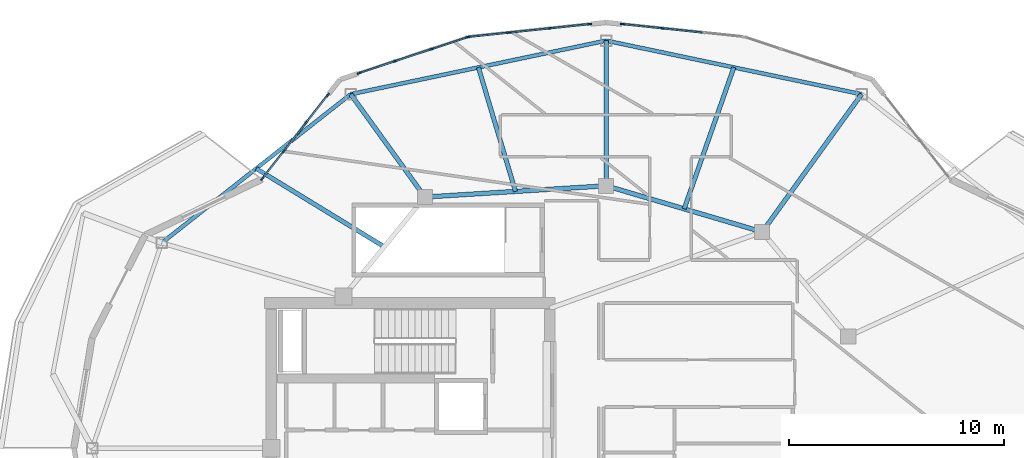
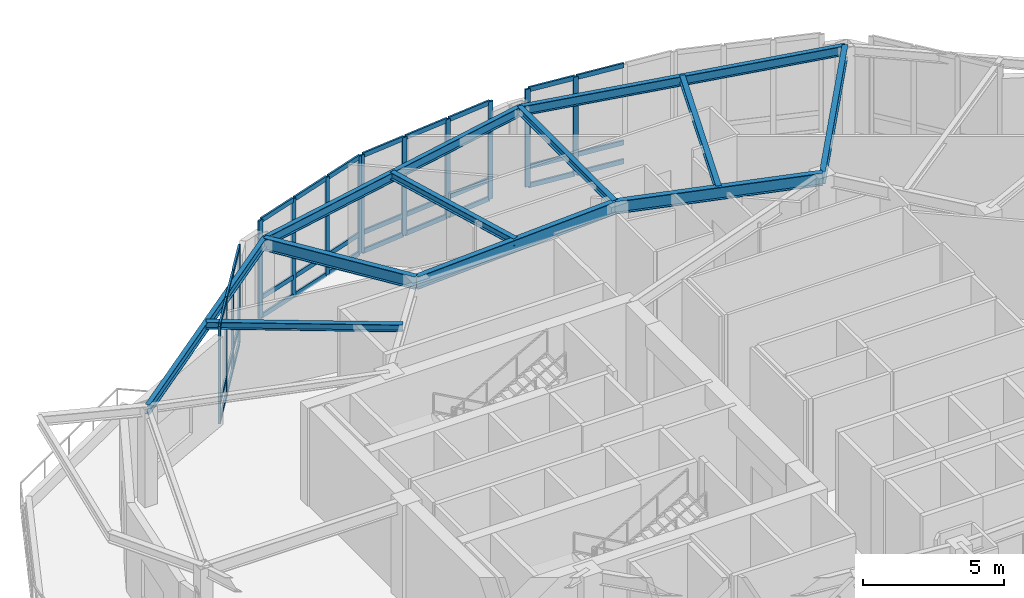
# One storey, part 5 of 15: 47 members, 11 beams, 4 elements without a shape of their own.
"""IFC4 building model written with IfcOpenShell, lengths in metres."""

from ifc_helpers import new_model, si_unit, direction, frame, origin, origin_2d, place, context, subcontext, project, spatial, rectangle, i_section, extrude, material, layer, layer_set, material_profile, profile_set, type_object, element, aggregate, save


model = new_model("IFC4")

# Units and contexts
model_context = context("Model", 3, precision=1e-05, world=origin(), true_north=direction((0.0, 1.0)))
body_context = subcontext(model_context, "Body", "Model", "MODEL_VIEW")
ifc_project = project(units=[si_unit("LENGTHUNIT", "METRE"), si_unit("AREAUNIT", "SQUARE_METRE"), si_unit("VOLUMEUNIT", "CUBIC_METRE"), si_unit("PLANEANGLEUNIT", "RADIAN"), si_unit("MASSUNIT", "GRAM", prefix="KILO")], contexts=[model_context])

# Site, building, storey
site_placement = place(None, origin())
site = spatial("IfcSite", under=ifc_project, at=site_placement, CompositionType="ELEMENT")
building_placement = place(site_placement, origin())
building = spatial("IfcBuilding", under=site, at=building_placement, Name="Kolvaren Gate Tower and Convention Centre", CompositionType="ELEMENT")
storey_placement = place(building_placement, frame((0.0, 0.0, 191.89990234375)))
storey = spatial("IfcBuildingStorey", under=building, at=storey_placement, Name="L50", CompositionType="ELEMENT", Elevation=191.89990234375)

# Curtain wall, members
ifc_material_1 = material(Name="Anodized Architectural Aluminium Alloy 6063-T6", Category="aluminium")
ifc_layer = layer(ifc_material_1, 0.199951171875)
ifc_layer_set = layer_set([ifc_layer], Name="Anodized Architectural Aluminium Alloy 6063-T6")
curtain_wall_type = type_object("IfcCurtainWallType", Name="CW-SKY-GLZ", PredefinedType="NOTDEFINED", material=ifc_layer_set)
curtain_wall_1_placement = place(storey_placement, origin())
curtain_wall_1 = element("IfcCurtainWall", 1, at=curtain_wall_1_placement, inside=storey, type_object=curtain_wall_type, Name="L50 Panoramic Structural Curtain Wall CW-05", PredefinedType="NOTDEFINED")
ifc_material_profile_1 = material_profile(ifc_material_1, rectangle(XDim=0.074951171875, YDim=0.199951171875, at=origin_2d()), Name="CW-MEM-MUL-200")
ifc_profile_set_1 = profile_set([ifc_material_profile_1], Name="Anodized Architectural Aluminium Alloy 6063-T6")
member_type_1 = type_object("IfcMemberType", Name="CW-MEM-MUL-200", PredefinedType="MULLION", material=ifc_profile_set_1)
member_1_placement = place(storey_placement, frame((30.88720703125, 46.7197265625, 0.0), z_axis=(0.0, 0.0, 1.0), x_axis=(0.104740372947, 0.994499599937, 0.0)))
member_1 = element("IfcMember", 2, at=member_1_placement, type_object=member_type_1, Name="CW-05 mullion 1", PredefinedType="MULLION", context=body_context, shape_type="SweptSolid", body=[
    extrude(rectangle(XDim=0.074951171875, YDim=0.199951171875, at=origin_2d()), origin(), (0.0, 0.0, 1.0), 4.22998046875),
])
member_2_placement = place(storey_placement, frame((32.74365234375, 46.524169921875, 0.0), z_axis=(0.0, 0.0, 1.0), x_axis=(0.104740372947, 0.994499599937, 0.0)))
member_2 = element("IfcMember", 3, at=member_2_placement, type_object=member_type_1, Name="CW-05 mullion 2", PredefinedType="MULLION", context=body_context, shape_type="SweptSolid", body=[
    extrude(rectangle(XDim=0.074951171875, YDim=0.199951171875, at=origin_2d()), origin(), (0.0, 0.0, 1.0), 4.22998046875),
])

curtain_wall_2_placement = place(storey_placement, origin())
curtain_wall_2 = element("IfcCurtainWall", 4, at=curtain_wall_2_placement, inside=storey, type_object=curtain_wall_type, Name="L50 Panoramic Structural Curtain Wall CW-06", PredefinedType="NOTDEFINED")
member_3_placement = place(storey_placement, frame((23.756591796875, 46.129150390625, 0.0), z_axis=(0.0, 0.0, 1.0), x_axis=(-0.104744020147, 0.994499215808, 0.0)))
member_3 = element("IfcMember", 5, at=member_3_placement, type_object=member_type_1, Name="CW-05 mullion 1", PredefinedType="MULLION", context=body_context, shape_type="SweptSolid", body=[
    extrude(rectangle(XDim=0.074951171875, YDim=0.199951171875, at=origin_2d()), origin(), (0.0, 0.0, 1.0), 4.22998046875),
])
member_4_placement = place(storey_placement, frame((25.61279296875, 46.32470703125, 0.0), z_axis=(0.0, 0.0, 1.0), x_axis=(-0.104744020147, 0.994499215808, 0.0)))
member_4 = element("IfcMember", 6, at=member_4_placement, type_object=member_type_1, Name="CW-05 mullion 2", PredefinedType="MULLION", context=body_context, shape_type="SweptSolid", body=[
    extrude(rectangle(XDim=0.074951171875, YDim=0.199951171875, at=origin_2d()), origin(), (0.0, 0.0, 1.0), 4.22998046875),
])
member_5_placement = place(storey_placement, frame((27.50634765625, 46.524169921875, 0.0), z_axis=(0.0, 0.0, 1.0), x_axis=(-0.104744020147, 0.994499215808, 0.0)))
member_5 = element("IfcMember", 7, at=member_5_placement, type_object=member_type_1, Name="CW-05 mullion 3", PredefinedType="MULLION", context=body_context, shape_type="SweptSolid", body=[
    extrude(rectangle(XDim=0.074951171875, YDim=0.199951171875, at=origin_2d()), origin(), (0.0, 0.0, 1.0), 4.22998046875),
])
member_6_placement = place(storey_placement, frame((29.362548828125, 46.7197265625, 0.0), z_axis=(0.0, 0.0, 1.0), x_axis=(-0.104744020147, 0.994499215808, 0.0)))
member_6 = element("IfcMember", 8, at=member_6_placement, type_object=member_type_1, Name="CW-05 mullion 4", PredefinedType="MULLION", context=body_context, shape_type="SweptSolid", body=[
    extrude(rectangle(XDim=0.074951171875, YDim=0.199951171875, at=origin_2d()), origin(), (0.0, 0.0, 1.0), 4.22998046875),
])

curtain_wall_3_placement = place(storey_placement, origin())
curtain_wall_3 = element("IfcCurtainWall", 9, at=curtain_wall_3_placement, inside=storey, type_object=curtain_wall_type, Name="L50 Panoramic Structural Curtain Wall CW-07", PredefinedType="NOTDEFINED")
member_7_placement = place(storey_placement, frame((18.63525390625, 44.440673828125, 0.0), z_axis=(0.0, 0.0, 1.0), x_axis=(-0.314552995008, 0.949239913474, 0.0)))
member_7 = element("IfcMember", 10, at=member_7_placement, type_object=member_type_1, Name="CW-05 mullion 1", PredefinedType="MULLION", context=body_context, shape_type="SweptSolid", body=[
    extrude(rectangle(XDim=0.074951171875, YDim=0.199951171875, at=origin_2d()), origin(), (0.0, 0.0, 1.0), 4.22998046875),
])
member_8_placement = place(storey_placement, frame((20.30615234375, 44.994384765625, 0.0), z_axis=(0.0, 0.0, 1.0), x_axis=(-0.314552995008, 0.949239913474, 0.0)))
member_8 = element("IfcMember", 11, at=member_8_placement, type_object=member_type_1, Name="CW-05 mullion 2", PredefinedType="MULLION", context=body_context, shape_type="SweptSolid", body=[
    extrude(rectangle(XDim=0.074951171875, YDim=0.199951171875, at=origin_2d()), origin(), (0.0, 0.0, 1.0), 4.22998046875),
])
member_9_placement = place(storey_placement, frame((22.0126953125, 45.559814453125, 0.0), z_axis=(0.0, 0.0, 1.0), x_axis=(-0.314552995008, 0.949239913474, 0.0)))
member_9 = element("IfcMember", 12, at=member_9_placement, type_object=member_type_1, Name="CW-05 mullion 3", PredefinedType="MULLION", context=body_context, shape_type="SweptSolid", body=[
    extrude(rectangle(XDim=0.074951171875, YDim=0.199951171875, at=origin_2d()), origin(), (0.0, 0.0, 1.0), 4.22998046875),
])
member_10_placement = place(storey_placement, frame((23.68359375, 46.113525390625, 0.0), z_axis=(0.0, 0.0, 1.0), x_axis=(-0.314552995008, 0.949239913474, 0.0)))
member_10 = element("IfcMember", 13, at=member_10_placement, type_object=member_type_1, Name="CW-05 mullion 4", PredefinedType="MULLION", context=body_context, shape_type="SweptSolid", body=[
    extrude(rectangle(XDim=0.074951171875, YDim=0.199951171875, at=origin_2d()), origin(), (0.0, 0.0, 1.0), 4.22998046875),
])

curtain_wall_4_placement = place(storey_placement, origin())
curtain_wall_4 = element("IfcCurtainWall", 14, at=curtain_wall_4_placement, inside=storey, type_object=curtain_wall_type, Name="L50 Panoramic Structural Curtain Wall CW-08", PredefinedType="NOTDEFINED")
member_11_placement = place(storey_placement, frame((14.140625, 39.536865234375, 0.0), z_axis=(0.0, 0.0, 1.0), x_axis=(-0.787409932974, 0.616429718179, 0.0)))
member_11 = element("IfcMember", 15, at=member_11_placement, type_object=member_type_1, Name="CW-05 mullion 1", PredefinedType="MULLION", context=body_context, shape_type="SweptSolid", body=[
    extrude(rectangle(XDim=0.074951171875, YDim=0.199951171875, at=origin_2d()), origin(), (0.0, 0.0, 1.0), 4.22998046875),
])
member_12_placement = place(storey_placement, frame((15.1484375, 40.82421875, 0.0), z_axis=(0.0, 0.0, 1.0), x_axis=(-0.787409932974, 0.616429718179, 0.0)))
member_12 = element("IfcMember", 16, at=member_12_placement, type_object=member_type_1, Name="CW-05 mullion 2", PredefinedType="MULLION", context=body_context, shape_type="SweptSolid", body=[
    extrude(rectangle(XDim=0.074951171875, YDim=0.199951171875, at=origin_2d()), origin(), (0.0, 0.0, 1.0), 4.22998046875),
])
member_13_placement = place(storey_placement, frame((16.17919921875, 42.140869140625, 0.0), z_axis=(0.0, 0.0, 1.0), x_axis=(-0.787409932974, 0.616429718179, 0.0)))
member_13 = element("IfcMember", 17, at=member_13_placement, type_object=member_type_1, Name="CW-05 mullion 3", PredefinedType="MULLION", context=body_context, shape_type="SweptSolid", body=[
    extrude(rectangle(XDim=0.074951171875, YDim=0.199951171875, at=origin_2d()), origin(), (0.0, 0.0, 1.0), 4.22998046875),
])
member_14_placement = place(storey_placement, frame((17.18701171875, 43.42822265625, 0.0), z_axis=(0.0, 0.0, 1.0), x_axis=(-0.787409932974, 0.616429718179, 0.0)))
member_14 = element("IfcMember", 18, at=member_14_placement, type_object=member_type_1, Name="CW-05 mullion 4", PredefinedType="MULLION", context=body_context, shape_type="SweptSolid", body=[
    extrude(rectangle(XDim=0.074951171875, YDim=0.199951171875, at=origin_2d()), origin(), (0.0, 0.0, 1.0), 4.22998046875),
])

# Member
ifc_material_profile_2 = material_profile(ifc_material_1, rectangle(XDim=0.074951171875, YDim=0.199951171875, at=origin_2d()), Name="CW-MEM-TRN-200")
ifc_profile_set_2 = profile_set([ifc_material_profile_2], Name="Anodized Architectural Aluminium Alloy 6063-T6")
member_type_2 = type_object("IfcMemberType", Name="CW-MEM-TRN-200", PredefinedType="USERDEFINED", material=ifc_profile_set_2)
member_15_placement = place(storey_placement, frame((30.924560546875, 46.7158203125, 0.03759765625), z_axis=(0.994494247003, -0.104791186071, 0.0), x_axis=(0.104791186071, 0.994494247003, 0.0)))
member_15 = element("IfcMember", 19, at=member_15_placement, type_object=member_type_2, Name="CW-05 transom 1.1", ObjectType="TRANSOM", PredefinedType="USERDEFINED", context=body_context, shape_type="SweptSolid", body=[
    extrude(rectangle(XDim=0.074951171875, YDim=0.199951171875, at=origin_2d()), origin(), (0.0, 0.0, 1.0), 1.79150390625),
])

member_16_placement = place(storey_placement, frame((30.924560546875, 46.7158203125, 0.85009765625), z_axis=(0.994494247003, -0.104791186071, 0.0), x_axis=(0.104791186071, 0.994494247003, 0.0)))
member_16 = element("IfcMember", 20, at=member_16_placement, type_object=member_type_2, Name="CW-05 transom 1.2", ObjectType="TRANSOM", PredefinedType="USERDEFINED", context=body_context, shape_type="SweptSolid", body=[
    extrude(rectangle(XDim=0.074951171875, YDim=0.199951171875, at=origin_2d()), origin(), (0.0, 0.0, 1.0), 1.79150390625),
])

member_17_placement = place(storey_placement, frame((30.924560546875, 46.7158203125, 4.192626953125), z_axis=(0.994494247003, -0.104791186071, 0.0), x_axis=(0.104791186071, 0.994494247003, 0.0)))
member_17 = element("IfcMember", 21, at=member_17_placement, type_object=member_type_2, Name="CW-05 transom 1.3", ObjectType="TRANSOM", PredefinedType="USERDEFINED", context=body_context, shape_type="SweptSolid", body=[
    extrude(rectangle(XDim=0.074951171875, YDim=0.199951171875, at=origin_2d()), origin(), (0.0, 0.0, 1.0), 1.79150390625),
])

member_18_placement = place(storey_placement, frame((32.781005859375, 46.520263671875, 0.03759765625), z_axis=(0.994494475745, -0.10478901523, 0.0), x_axis=(0.10478901523, 0.994494475745, 0.0)))
member_18 = element("IfcMember", 22, at=member_18_placement, type_object=member_type_2, Name="CW-05 transom 2.1", ObjectType="TRANSOM", PredefinedType="USERDEFINED", context=body_context, shape_type="SweptSolid", body=[
    extrude(rectangle(XDim=0.074951171875, YDim=0.199951171875, at=origin_2d()), origin(), (0.0, 0.0, 1.0), 1.828857421875),
])

member_19_placement = place(storey_placement, frame((32.781005859375, 46.520263671875, 0.85009765625), z_axis=(0.994494475745, -0.10478901523, 0.0), x_axis=(0.10478901523, 0.994494475745, 0.0)))
member_19 = element("IfcMember", 23, at=member_19_placement, type_object=member_type_2, Name="CW-05 transom 2.2", ObjectType="TRANSOM", PredefinedType="USERDEFINED", context=body_context, shape_type="SweptSolid", body=[
    extrude(rectangle(XDim=0.074951171875, YDim=0.199951171875, at=origin_2d()), origin(), (0.0, 0.0, 1.0), 1.828857421875),
])

member_20_placement = place(storey_placement, frame((32.781005859375, 46.520263671875, 4.192626953125), z_axis=(0.994494475745, -0.10478901523, 0.0), x_axis=(0.10478901523, 0.994494475745, 0.0)))
member_20 = element("IfcMember", 24, at=member_20_placement, type_object=member_type_2, Name="CW-05 transom 2.3", ObjectType="TRANSOM", PredefinedType="USERDEFINED", context=body_context, shape_type="SweptSolid", body=[
    extrude(rectangle(XDim=0.074951171875, YDim=0.199951171875, at=origin_2d()), origin(), (0.0, 0.0, 1.0), 1.828857421875),
])

aggregate(curtain_wall_1, [member_1, member_2, member_15, member_16, member_17, member_18, member_19, member_20])

member_21_placement = place(storey_placement, frame((23.793701171875, 46.133056640625, 0.03759765625), z_axis=(0.994494247003, 0.104791186071, 0.0), x_axis=(-0.104791186071, 0.994494247003, 0.0)))
member_21 = element("IfcMember", 25, at=member_21_placement, type_object=member_type_2, Name="CW-05 transom 1.1", ObjectType="TRANSOM", PredefinedType="USERDEFINED", context=body_context, shape_type="SweptSolid", body=[
    extrude(rectangle(XDim=0.074951171875, YDim=0.199951171875, at=origin_2d()), origin(), (0.0, 0.0, 1.0), 1.79150390625),
])

member_22_placement = place(storey_placement, frame((23.793701171875, 46.133056640625, 0.85009765625), z_axis=(0.994494247003, 0.104791186071, 0.0), x_axis=(-0.104791186071, 0.994494247003, 0.0)))
member_22 = element("IfcMember", 26, at=member_22_placement, type_object=member_type_2, Name="CW-05 transom 1.2", ObjectType="TRANSOM", PredefinedType="USERDEFINED", context=body_context, shape_type="SweptSolid", body=[
    extrude(rectangle(XDim=0.074951171875, YDim=0.199951171875, at=origin_2d()), origin(), (0.0, 0.0, 1.0), 1.79150390625),
])

member_23_placement = place(storey_placement, frame((23.793701171875, 46.133056640625, 4.192626953125), z_axis=(0.994494247003, 0.104791186071, 0.0), x_axis=(-0.104791186071, 0.994494247003, 0.0)))
member_23 = element("IfcMember", 27, at=member_23_placement, type_object=member_type_2, Name="CW-05 transom 1.3", ObjectType="TRANSOM", PredefinedType="USERDEFINED", context=body_context, shape_type="SweptSolid", body=[
    extrude(rectangle(XDim=0.074951171875, YDim=0.199951171875, at=origin_2d()), origin(), (0.0, 0.0, 1.0), 1.79150390625),
])

member_24_placement = place(storey_placement, frame((25.650146484375, 46.32861328125, 0.03759765625), z_axis=(0.994494475745, 0.10478901523, 0.0), x_axis=(-0.10478901523, 0.994494475745, 0.0)))
member_24 = element("IfcMember", 28, at=member_24_placement, type_object=member_type_2, Name="CW-05 transom 2.1", ObjectType="TRANSOM", PredefinedType="USERDEFINED", context=body_context, shape_type="SweptSolid", body=[
    extrude(rectangle(XDim=0.074951171875, YDim=0.199951171875, at=origin_2d()), origin(), (0.0, 0.0, 1.0), 1.828857421875),
])

member_25_placement = place(storey_placement, frame((25.650146484375, 46.32861328125, 0.85009765625), z_axis=(0.994494475745, 0.10478901523, 0.0), x_axis=(-0.10478901523, 0.994494475745, 0.0)))
member_25 = element("IfcMember", 29, at=member_25_placement, type_object=member_type_2, Name="CW-05 transom 2.2", ObjectType="TRANSOM", PredefinedType="USERDEFINED", context=body_context, shape_type="SweptSolid", body=[
    extrude(rectangle(XDim=0.074951171875, YDim=0.199951171875, at=origin_2d()), origin(), (0.0, 0.0, 1.0), 1.828857421875),
])

member_26_placement = place(storey_placement, frame((25.650146484375, 46.32861328125, 4.192626953125), z_axis=(0.994494475745, 0.10478901523, 0.0), x_axis=(-0.10478901523, 0.994494475745, 0.0)))
member_26 = element("IfcMember", 30, at=member_26_placement, type_object=member_type_2, Name="CW-05 transom 2.3", ObjectType="TRANSOM", PredefinedType="USERDEFINED", context=body_context, shape_type="SweptSolid", body=[
    extrude(rectangle(XDim=0.074951171875, YDim=0.199951171875, at=origin_2d()), origin(), (0.0, 0.0, 1.0), 1.828857421875),
])

member_27_placement = place(storey_placement, frame((27.54345703125, 46.528076171875, 0.03759765625), z_axis=(0.994494247003, 0.104791186071, 0.0), x_axis=(-0.104791186071, 0.994494247003, 0.0)))
member_27 = element("IfcMember", 31, at=member_27_placement, type_object=member_type_2, Name="CW-05 transom 3.1", ObjectType="TRANSOM", PredefinedType="USERDEFINED", context=body_context, shape_type="SweptSolid", body=[
    extrude(rectangle(XDim=0.074951171875, YDim=0.199951171875, at=origin_2d()), origin(), (0.0, 0.0, 1.0), 1.79150390625),
])

member_28_placement = place(storey_placement, frame((27.54345703125, 46.528076171875, 0.85009765625), z_axis=(0.994494247003, 0.104791186071, 0.0), x_axis=(-0.104791186071, 0.994494247003, 0.0)))
member_28 = element("IfcMember", 32, at=member_28_placement, type_object=member_type_2, Name="CW-05 transom 3.2", ObjectType="TRANSOM", PredefinedType="USERDEFINED", context=body_context, shape_type="SweptSolid", body=[
    extrude(rectangle(XDim=0.074951171875, YDim=0.199951171875, at=origin_2d()), origin(), (0.0, 0.0, 1.0), 1.79150390625),
])

member_29_placement = place(storey_placement, frame((27.54345703125, 46.528076171875, 4.192626953125), z_axis=(0.994494247003, 0.104791186071, 0.0), x_axis=(-0.104791186071, 0.994494247003, 0.0)))
member_29 = element("IfcMember", 33, at=member_29_placement, type_object=member_type_2, Name="CW-05 transom 3.3", ObjectType="TRANSOM", PredefinedType="USERDEFINED", context=body_context, shape_type="SweptSolid", body=[
    extrude(rectangle(XDim=0.074951171875, YDim=0.199951171875, at=origin_2d()), origin(), (0.0, 0.0, 1.0), 1.79150390625),
])

aggregate(curtain_wall_2, [member_3, member_4, member_5, member_6, member_21, member_22, member_23, member_24, member_25, member_26, member_27, member_28, member_29])

member_30_placement = place(storey_placement, frame((18.6708984375, 44.452392578125, 0.03759765625), z_axis=(0.949246811547, 0.314532177636, 0.0), x_axis=(-0.314532177636, 0.949246811547, 0.0)))
member_30 = element("IfcMember", 34, at=member_30_placement, type_object=member_type_2, Name="CW-05 transom 1.1", ObjectType="TRANSOM", PredefinedType="USERDEFINED", context=body_context, shape_type="SweptSolid", body=[
    extrude(rectangle(XDim=0.074951171875, YDim=0.199951171875, at=origin_2d()), origin(), (0.0, 0.0, 1.0), 1.68505859375),
])

member_31_placement = place(storey_placement, frame((18.6708984375, 44.452392578125, 0.85009765625), z_axis=(0.949246811547, 0.314532177636, 0.0), x_axis=(-0.314532177636, 0.949246811547, 0.0)))
member_31 = element("IfcMember", 35, at=member_31_placement, type_object=member_type_2, Name="CW-05 transom 1.2", ObjectType="TRANSOM", PredefinedType="USERDEFINED", context=body_context, shape_type="SweptSolid", body=[
    extrude(rectangle(XDim=0.074951171875, YDim=0.199951171875, at=origin_2d()), origin(), (0.0, 0.0, 1.0), 1.68505859375),
])

member_32_placement = place(storey_placement, frame((18.6708984375, 44.452392578125, 4.192626953125), z_axis=(0.949246811547, 0.314532177636, 0.0), x_axis=(-0.314532177636, 0.949246811547, 0.0)))
member_32 = element("IfcMember", 36, at=member_32_placement, type_object=member_type_2, Name="CW-05 transom 1.3", ObjectType="TRANSOM", PredefinedType="USERDEFINED", context=body_context, shape_type="SweptSolid", body=[
    extrude(rectangle(XDim=0.074951171875, YDim=0.199951171875, at=origin_2d()), origin(), (0.0, 0.0, 1.0), 1.68505859375),
])

member_33_placement = place(storey_placement, frame((20.341796875, 45.006103515625, 0.03759765625), z_axis=(0.949220447007, 0.314611733705, 0.0), x_axis=(-0.314611733705, 0.949220447007, 0.0)))
member_33 = element("IfcMember", 37, at=member_33_placement, type_object=member_type_2, Name="CW-05 transom 2.1", ObjectType="TRANSOM", PredefinedType="USERDEFINED", context=body_context, shape_type="SweptSolid", body=[
    extrude(rectangle(XDim=0.074951171875, YDim=0.199951171875, at=origin_2d()), origin(), (0.0, 0.0, 1.0), 1.72265625),
])

member_34_placement = place(storey_placement, frame((20.341796875, 45.006103515625, 0.85009765625), z_axis=(0.949220447007, 0.314611733705, 0.0), x_axis=(-0.314611733705, 0.949220447007, 0.0)))
member_34 = element("IfcMember", 38, at=member_34_placement, type_object=member_type_2, Name="CW-05 transom 2.2", ObjectType="TRANSOM", PredefinedType="USERDEFINED", context=body_context, shape_type="SweptSolid", body=[
    extrude(rectangle(XDim=0.074951171875, YDim=0.199951171875, at=origin_2d()), origin(), (0.0, 0.0, 1.0), 1.72265625),
])

member_35_placement = place(storey_placement, frame((20.341796875, 45.006103515625, 4.192626953125), z_axis=(0.949220447007, 0.314611733705, 0.0), x_axis=(-0.314611733705, 0.949220447007, 0.0)))
member_35 = element("IfcMember", 39, at=member_35_placement, type_object=member_type_2, Name="CW-05 transom 2.3", ObjectType="TRANSOM", PredefinedType="USERDEFINED", context=body_context, shape_type="SweptSolid", body=[
    extrude(rectangle(XDim=0.074951171875, YDim=0.199951171875, at=origin_2d()), origin(), (0.0, 0.0, 1.0), 1.72265625),
])

member_36_placement = place(storey_placement, frame((22.04833984375, 45.571533203125, 0.03759765625), z_axis=(0.949203548231, 0.314662714706, 0.0), x_axis=(-0.314662714706, 0.949203548231, 0.0)))
member_36 = element("IfcMember", 40, at=member_36_placement, type_object=member_type_2, Name="CW-05 transom 3.1", ObjectType="TRANSOM", PredefinedType="USERDEFINED", context=body_context, shape_type="SweptSolid", body=[
    extrude(rectangle(XDim=0.074951171875, YDim=0.199951171875, at=origin_2d()), origin(), (0.0, 0.0, 1.0), 1.685302734375),
])

member_37_placement = place(storey_placement, frame((22.04833984375, 45.571533203125, 0.85009765625), z_axis=(0.949203548231, 0.314662714706, 0.0), x_axis=(-0.314662714706, 0.949203548231, 0.0)))
member_37 = element("IfcMember", 41, at=member_37_placement, type_object=member_type_2, Name="CW-05 transom 3.2", ObjectType="TRANSOM", PredefinedType="USERDEFINED", context=body_context, shape_type="SweptSolid", body=[
    extrude(rectangle(XDim=0.074951171875, YDim=0.199951171875, at=origin_2d()), origin(), (0.0, 0.0, 1.0), 1.685302734375),
])

member_38_placement = place(storey_placement, frame((22.04833984375, 45.571533203125, 4.192626953125), z_axis=(0.949203548231, 0.314662714706, 0.0), x_axis=(-0.314662714706, 0.949203548231, 0.0)))
member_38 = element("IfcMember", 42, at=member_38_placement, type_object=member_type_2, Name="CW-05 transom 3.3", ObjectType="TRANSOM", PredefinedType="USERDEFINED", context=body_context, shape_type="SweptSolid", body=[
    extrude(rectangle(XDim=0.074951171875, YDim=0.199951171875, at=origin_2d()), origin(), (0.0, 0.0, 1.0), 1.685302734375),
])

aggregate(curtain_wall_3, [member_7, member_8, member_9, member_10, member_30, member_31, member_32, member_33, member_34, member_35, member_36, member_37, member_38])

member_39_placement = place(storey_placement, frame((14.163818359375, 39.56640625, 0.03759765625), z_axis=(0.616375785022, 0.787452151967, 0.0), x_axis=(-0.787452151967, 0.616375785022, 0.0)))
member_39 = element("IfcMember", 43, at=member_39_placement, type_object=member_type_2, Name="CW-05 transom 1.1", ObjectType="TRANSOM", PredefinedType="USERDEFINED", context=body_context, shape_type="SweptSolid", body=[
    extrude(rectangle(XDim=0.074951171875, YDim=0.199951171875, at=origin_2d()), origin(), (0.0, 0.0, 1.0), 1.559814453125),
])

member_40_placement = place(storey_placement, frame((14.163818359375, 39.56640625, 0.85009765625), z_axis=(0.616375785022, 0.787452151967, 0.0), x_axis=(-0.787452151967, 0.616375785022, 0.0)))
member_40 = element("IfcMember", 44, at=member_40_placement, type_object=member_type_2, Name="CW-05 transom 1.2", ObjectType="TRANSOM", PredefinedType="USERDEFINED", context=body_context, shape_type="SweptSolid", body=[
    extrude(rectangle(XDim=0.074951171875, YDim=0.199951171875, at=origin_2d()), origin(), (0.0, 0.0, 1.0), 1.559814453125),
])

member_41_placement = place(storey_placement, frame((14.163818359375, 39.56640625, 4.192626953125), z_axis=(0.616375785022, 0.787452151967, 0.0), x_axis=(-0.787452151967, 0.616375785022, 0.0)))
member_41 = element("IfcMember", 45, at=member_41_placement, type_object=member_type_2, Name="CW-05 transom 1.3", ObjectType="TRANSOM", PredefinedType="USERDEFINED", context=body_context, shape_type="SweptSolid", body=[
    extrude(rectangle(XDim=0.074951171875, YDim=0.199951171875, at=origin_2d()), origin(), (0.0, 0.0, 1.0), 1.559814453125),
])

member_42_placement = place(storey_placement, frame((15.17138671875, 40.853515625, 0.03759765625), z_axis=(0.616403042975, 0.787430815127, 0.0), x_axis=(-0.787430815127, 0.616403042975, 0.0)))
member_42 = element("IfcMember", 46, at=member_42_placement, type_object=member_type_2, Name="CW-05 transom 2.1", ObjectType="TRANSOM", PredefinedType="USERDEFINED", context=body_context, shape_type="SweptSolid", body=[
    extrude(rectangle(XDim=0.074951171875, YDim=0.199951171875, at=origin_2d()), origin(), (0.0, 0.0, 1.0), 1.597412109375),
])

member_43_placement = place(storey_placement, frame((15.17138671875, 40.853515625, 0.85009765625), z_axis=(0.616403042975, 0.787430815127, 0.0), x_axis=(-0.787430815127, 0.616403042975, 0.0)))
member_43 = element("IfcMember", 47, at=member_43_placement, type_object=member_type_2, Name="CW-05 transom 2.2", ObjectType="TRANSOM", PredefinedType="USERDEFINED", context=body_context, shape_type="SweptSolid", body=[
    extrude(rectangle(XDim=0.074951171875, YDim=0.199951171875, at=origin_2d()), origin(), (0.0, 0.0, 1.0), 1.597412109375),
])

member_44_placement = place(storey_placement, frame((15.17138671875, 40.853515625, 4.192626953125), z_axis=(0.616403042975, 0.787430815127, 0.0), x_axis=(-0.787430815127, 0.616403042975, 0.0)))
member_44 = element("IfcMember", 48, at=member_44_placement, type_object=member_type_2, Name="CW-05 transom 2.3", ObjectType="TRANSOM", PredefinedType="USERDEFINED", context=body_context, shape_type="SweptSolid", body=[
    extrude(rectangle(XDim=0.074951171875, YDim=0.199951171875, at=origin_2d()), origin(), (0.0, 0.0, 1.0), 1.597412109375),
])

member_45_placement = place(storey_placement, frame((16.202392578125, 42.17041015625, 0.03759765625), z_axis=(0.616375785022, 0.787452151967, 0.0), x_axis=(-0.787452151967, 0.616375785022, 0.0)))
member_45 = element("IfcMember", 49, at=member_45_placement, type_object=member_type_2, Name="CW-05 transom 3.1", ObjectType="TRANSOM", PredefinedType="USERDEFINED", context=body_context, shape_type="SweptSolid", body=[
    extrude(rectangle(XDim=0.074951171875, YDim=0.199951171875, at=origin_2d()), origin(), (0.0, 0.0, 1.0), 1.559814453125),
])

member_46_placement = place(storey_placement, frame((16.202392578125, 42.17041015625, 0.85009765625), z_axis=(0.616375785022, 0.787452151967, 0.0), x_axis=(-0.787452151967, 0.616375785022, 0.0)))
member_46 = element("IfcMember", 50, at=member_46_placement, type_object=member_type_2, Name="CW-05 transom 3.2", ObjectType="TRANSOM", PredefinedType="USERDEFINED", context=body_context, shape_type="SweptSolid", body=[
    extrude(rectangle(XDim=0.074951171875, YDim=0.199951171875, at=origin_2d()), origin(), (0.0, 0.0, 1.0), 1.559814453125),
])

member_47_placement = place(storey_placement, frame((16.202392578125, 42.17041015625, 4.192626953125), z_axis=(0.616375785022, 0.787452151967, 0.0), x_axis=(-0.787452151967, 0.616375785022, 0.0)))
member_47 = element("IfcMember", 51, at=member_47_placement, type_object=member_type_2, Name="CW-05 transom 3.3", ObjectType="TRANSOM", PredefinedType="USERDEFINED", context=body_context, shape_type="SweptSolid", body=[
    extrude(rectangle(XDim=0.074951171875, YDim=0.199951171875, at=origin_2d()), origin(), (0.0, 0.0, 1.0), 1.559814453125),
])

aggregate(curtain_wall_4, [member_11, member_12, member_13, member_14, member_39, member_40, member_41, member_42, member_43, member_44, member_45, member_46, member_47])

# Beams
ifc_material_2 = material(Name="Structural steel ASTM A992 Grade 345 MPa", Category="steel")
ifc_material_profile_3 = material_profile(ifc_material_2, i_section(OverallWidth=0.2119140625, OverallDepth=0.5439453125, WebThickness=0.01318359375, FlangeThickness=0.021240234375, at=origin_2d()), Name="W530X123")
ifc_profile_set_3 = profile_set([ifc_material_profile_3], Name="Structural steel ASTM A992 Grade 345 MPa")
beam_type_1 = type_object("IfcBeamType", Name="STR-BM-W530X123", PredefinedType="BEAM", material=ifc_profile_set_3)
beam_1_placement = place(storey_placement, frame((37.381591796875, 37.054931640625, 3.9580078125), z_axis=(-0.958980837827, 0.283470902706, 0.0), x_axis=(-0.283470902706, -0.958980837827, 0.0)))
element("IfcBeam", 52, at=beam_1_placement, inside=storey, type_object=beam_type_1, Name="Tower L50 Primary Ring Girder G-03", PredefinedType="BEAM", context=body_context, shape_type="SweptSolid", body=[
    extrude(i_section(OverallWidth=0.2119140625, OverallDepth=0.5439453125, WebThickness=0.01318359375, FlangeThickness=0.021240234375, at=origin_2d()), origin(), (0.0, 0.0, 1.0), 7.56689453125),
])
beam_2_placement = place(storey_placement, frame((30.125, 39.199951171875, 3.9580078125), z_axis=(-0.998078258568, -0.06196603726, 0.0), x_axis=(0.06196603726, -0.998078258568, 0.0)))
element("IfcBeam", 53, at=beam_2_placement, inside=storey, type_object=beam_type_1, Name="Tower L50 Primary Ring Girder G-04", PredefinedType="BEAM", context=body_context, shape_type="SweptSolid", body=[
    extrude(i_section(OverallWidth=0.2119140625, OverallDepth=0.5439453125, WebThickness=0.01318359375, FlangeThickness=0.021240234375, at=origin_2d()), origin(), (0.0, 0.0, 1.0), 8.443115234375),
])
beam_3_placement = place(storey_placement, frame((37.381591796875, 37.054931640625, 3.9580078125), z_axis=(0.585211694794, 0.810880553643, 0.0), x_axis=(-0.810880553643, 0.585211694794, 0.0)))
element("IfcBeam", 54, at=beam_3_placement, inside=storey, type_object=beam_type_1, Name="Tower L50 Radial Floor Girder RB-03", PredefinedType="BEAM", context=body_context, shape_type="SweptSolid", body=[
    extrude(i_section(OverallWidth=0.2119140625, OverallDepth=0.5439453125, WebThickness=0.01318359375, FlangeThickness=0.021240234375, at=origin_2d()), origin(), (0.0, 0.0, 1.0), 7.896484375),
])
beam_4_placement = place(storey_placement, frame((21.697998046875, 38.6767578125, 3.9580078125), z_axis=(-0.585218406802, 0.810875709552, 0.0), x_axis=(-0.810875709552, -0.585218406802, 0.0)))
element("IfcBeam", 55, at=beam_4_placement, inside=storey, type_object=beam_type_1, Name="Tower L50 Radial Floor Girder RB-05", PredefinedType="BEAM", context=body_context, shape_type="SweptSolid", body=[
    extrude(i_section(OverallWidth=0.2119140625, OverallDepth=0.5439453125, WebThickness=0.01318359375, FlangeThickness=0.021240234375, at=origin_2d()), origin(), (0.0, 0.0, 1.0), 5.896484375),
])
ifc_material_profile_4 = material_profile(ifc_material_2, i_section(OverallWidth=0.205078125, OverallDepth=0.31005859375, WebThickness=0.009521484375, FlangeThickness=0.016357421875, at=origin_2d()), Name="W310X74")
ifc_profile_set_4 = profile_set([ifc_material_profile_4], Name="Structural steel ASTM A992 Grade 345 MPa")
beam_type_2 = type_object("IfcBeamType", Name="STR-JS-W310X74", PredefinedType="JOIST", material=ifc_profile_set_4)
beam_5_placement = place(storey_placement, frame((30.125, 39.199951171875, 4.0751953125), z_axis=(0.0, 1.0, 0.0), x_axis=(-1.0, 0.0, 0.0)))
element("IfcBeam", 56, at=beam_5_placement, inside=storey, type_object=beam_type_2, Name="Tower L50 Radial Floor Girder RB-04", PredefinedType="JOIST", context=body_context, shape_type="SweptSolid", body=[
    extrude(i_section(OverallWidth=0.205078125, OverallDepth=0.31005859375, WebThickness=0.009521484375, FlangeThickness=0.016357421875, at=origin_2d()), origin(), (0.0, 0.0, 1.0), 6.75),
])
beam_6_placement = place(storey_placement, frame((33.75341796875, 38.12744140625, 4.0751953125), z_axis=(0.331432911821, 0.943478788824, 0.0), x_axis=(-0.943478788824, 0.331432911821, 0.0)))
element("IfcBeam", 57, at=beam_6_placement, inside=storey, type_object=beam_type_2, Name="Tower L50 Secondary Composite Floor Joist J-03.1", PredefinedType="JOIST", context=body_context, shape_type="SweptSolid", body=[
    extrude(i_section(OverallWidth=0.205078125, OverallDepth=0.31005859375, WebThickness=0.009521484375, FlangeThickness=0.016357421875, at=origin_2d()), origin(), (0.0, 0.0, 1.0), 6.970703125),
])
beam_7_placement = place(storey_placement, frame((25.91162109375, 38.938232421875, 4.0751953125), z_axis=(-0.286674209033, 0.958028130002, 0.0), x_axis=(-0.958028130002, -0.286674209033, 0.0)))
element("IfcBeam", 58, at=beam_7_placement, inside=storey, type_object=beam_type_2, Name="Tower L50 Secondary Composite Floor Joist J-04.1", PredefinedType="JOIST", context=body_context, shape_type="SweptSolid", body=[
    extrude(i_section(OverallWidth=0.205078125, OverallDepth=0.31005859375, WebThickness=0.009521484375, FlangeThickness=0.016357421875, at=origin_2d()), origin(), (0.0, 0.0, 1.0), 6.0185546875),
])
beam_8_placement = place(storey_placement, frame((19.805908203125, 36.36328125, 4.0751953125), z_axis=(-0.853232509014, 0.52153071392, 0.0), x_axis=(-0.52153071392, -0.853232509014, 0.0)))
element("IfcBeam", 59, at=beam_8_placement, inside=storey, type_object=beam_type_2, Name="Tower L50 Secondary Composite Floor Joist J-05.1", PredefinedType="JOIST", context=body_context, shape_type="SweptSolid", body=[
    extrude(i_section(OverallWidth=0.205078125, OverallDepth=0.31005859375, WebThickness=0.009521484375, FlangeThickness=0.016357421875, at=origin_2d()), origin(), (0.0, 0.0, 1.0), 6.974609375),
])
ifc_material_profile_5 = material_profile(ifc_material_2, i_section(OverallWidth=0.180908203125, OverallDepth=0.4169921875, WebThickness=0.010986328125, FlangeThickness=0.018310546875, at=origin_2d()), Name="W410X85")
ifc_profile_set_5 = profile_set([ifc_material_profile_5], Name="Structural steel ASTM A992 Grade 345 MPa")
beam_type_3 = type_object("IfcBeamType", Name="STR-SP-W410X85", PredefinedType="SPANDREL", material=ifc_profile_set_5)
for number, where, z_axis, x_axis, name in (
    (60, (42.002685546875, 43.4580078125, 4.021484375), (-0.978692765917, 0.205330148645, 0.0), (-0.205330148645, -0.978692765917, 0.0), "Tower L50 Perimeter Spandrel Beam SP-03"),
    (61, (30.125, 45.949951171875, 4.021484375), (-0.978692765917, -0.205330148645, 0.0), (0.205330148645, -0.978692765917, 0.0), "Tower L50 Perimeter Spandrel Beam SP-04"),
):
    element("IfcBeam", number, at=place(storey_placement, frame(where, z_axis=z_axis, x_axis=x_axis)), inside=storey, type_object=beam_type_3, Name=name, PredefinedType="SPANDREL", context=body_context, shape_type="SweptSolid", body=[
        extrude(i_section(OverallWidth=0.180908203125, OverallDepth=0.4169921875, WebThickness=0.010986328125, FlangeThickness=0.018310546875, at=origin_2d()), origin(), (0.0, 0.0, 1.0), 12.13623046875),
    ])
beam_9_placement = place(storey_placement, frame((18.247314453125, 43.4580078125, 4.021484375), z_axis=(-0.78579365551, -0.618488747643, 0.0), x_axis=(0.618488747643, -0.78579365551, 0.0)))
element("IfcBeam", 62, at=beam_9_placement, inside=storey, type_object=beam_type_3, Name="Tower L50 Perimeter Spandrel Beam SP-05", PredefinedType="SPANDREL", context=body_context, shape_type="SweptSolid", body=[
    extrude(i_section(OverallWidth=0.180908203125, OverallDepth=0.4169921875, WebThickness=0.010986328125, FlangeThickness=0.018310546875, at=origin_2d()), origin(), (0.0, 0.0, 1.0), 11.179443359375),
])

save(model, "model.ifc")
